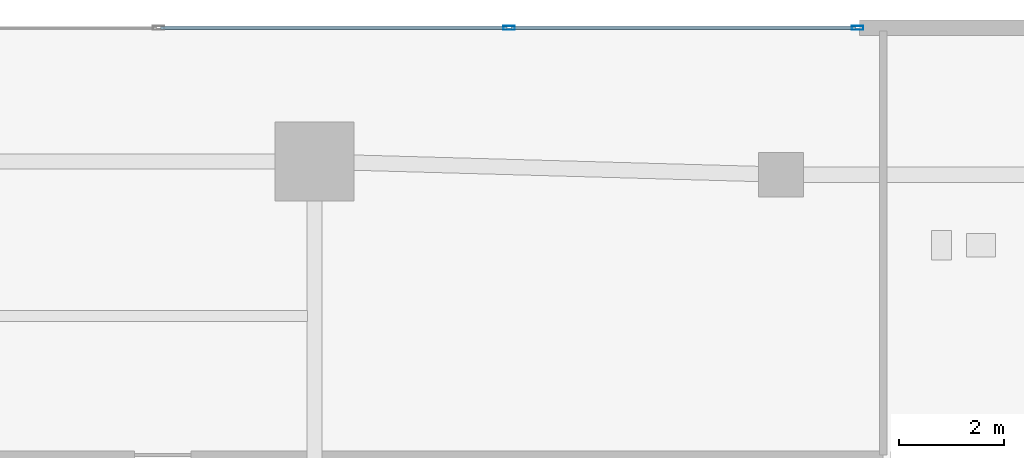
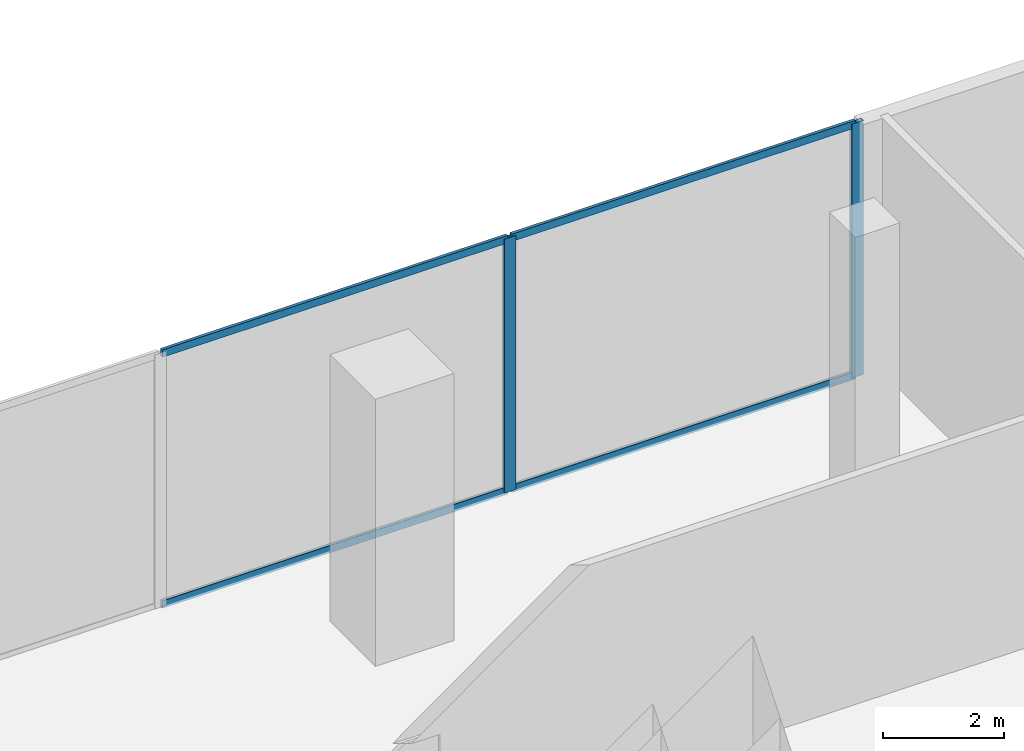
# One storey, part 18 of 30: 6 members, 1 element without a shape of its own.
"""IFC4 building model written with IfcOpenShell, lengths in metres."""

from ifc_helpers import new_model, si_unit, direction, frame, origin, origin_2d, place, context, subcontext, project, spatial, hollow_rectangle, extrude, material, layer, layer_set, material_profile, profile_set, type_object, element, aggregate, save


model = new_model("IFC4")

# Units and contexts
model_context = context("Model", 3, precision=1e-05, world=origin(), true_north=direction((0.0, 1.0)))
body_context = subcontext(model_context, "Body", "Model", "MODEL_VIEW")
ifc_project = project(units=[si_unit("LENGTHUNIT", "METRE"), si_unit("AREAUNIT", "SQUARE_METRE"), si_unit("VOLUMEUNIT", "CUBIC_METRE"), si_unit("PLANEANGLEUNIT", "RADIAN"), si_unit("MASSUNIT", "GRAM", prefix="KILO")], contexts=[model_context])

# Site, building, storey
site_placement = place(None, origin())
site = spatial("IfcSite", under=ifc_project, at=site_placement, CompositionType="ELEMENT")
building_placement = place(site_placement, origin())
building = spatial("IfcBuilding", under=site, at=building_placement, Name="Zuhayl Quay Hotel", CompositionType="ELEMENT")
storey_placement = place(building_placement, frame((0.0, 0.0, 6.0)))
storey = spatial("IfcBuildingStorey", under=building, at=storey_placement, Name="L01", CompositionType="ELEMENT", Elevation=6.0)

# Curtain wall, members
ifc_material_1 = material(Name="Anodised Aluminium 6063-T6", Category="aluminium")
ifc_layer = layer(ifc_material_1, 0.199951171875, Name="Anodised Aluminium 6063-T6", Category="aluminium")
ifc_layer_set = layer_set([ifc_layer], Name="Anodised Aluminium 6063-T6")
curtain_wall_type = type_object("IfcCurtainWallType", Name="CW_SYS_POD", PredefinedType="USERDEFINED", material=ifc_layer_set)
curtain_wall_placement = place(storey_placement, origin())
curtain_wall = element("IfcCurtainWall", 1, at=curtain_wall_placement, inside=storey, type_object=curtain_wall_type, Name="L01 Curtain Wall ENV_L01_E05_CW4", ObjectType="UNITISED CURTAIN WALL", PredefinedType="USERDEFINED")
ifc_material_2 = material(Name="Black-anodised aluminium 6063-T6", Category="aluminium")
ifc_material_profile_1 = material_profile(ifc_material_2, hollow_rectangle(XDim=0.074951171875, YDim=0.219970703125, WallThickness=0.00390625, at=origin_2d()), Name="ALU220X75")
ifc_profile_set_1 = profile_set([ifc_material_profile_1], Name="Black-anodised aluminium 6063-T6")
member_type_1 = type_object("IfcMemberType", Name="MB_CW_MUL_220", PredefinedType="MULLION", material=ifc_profile_set_1)
member_1_placement = place(storey_placement, frame((17.512451171875, 25.0, 0.0), z_axis=(0.0, 0.0, 1.0), x_axis=(0.0, 1.0, 0.0)))
member_1 = element("IfcMember", 2, at=member_1_placement, type_object=member_type_1, Name="CW-POD mullion 4", PredefinedType="MULLION", context=body_context, shape_type="SweptSolid", body=[
    extrude(hollow_rectangle(XDim=0.074951171875, YDim=0.219970703125, WallThickness=0.00390625, at=origin_2d()), origin(), (0.0, 0.0, 1.0), 5.139892578125),
])
member_2_placement = place(storey_placement, frame((24.16259765625, 25.0, 0.0), z_axis=(0.0, 0.0, 1.0), x_axis=(0.0, 1.0, 0.0)))
member_2 = element("IfcMember", 3, at=member_2_placement, type_object=member_type_1, Name="CW-POD mullion 5", PredefinedType="MULLION", context=body_context, shape_type="SweptSolid", body=[
    extrude(hollow_rectangle(XDim=0.074951171875, YDim=0.219970703125, WallThickness=0.00390625, at=origin_2d()), origin(), (0.0, 0.0, 1.0), 5.139892578125),
])
ifc_material_profile_2 = material_profile(ifc_material_2, hollow_rectangle(XDim=0.06005859375, YDim=0.14990234375, WallThickness=0.00341796875, at=origin_2d()), Name="ALU150X60")
ifc_profile_set_2 = profile_set([ifc_material_profile_2], Name="Black-anodised aluminium 6063-T6")
member_type_2 = type_object("IfcMemberType", Name="MB_CW_TRN_150", PredefinedType="USERDEFINED", material=ifc_profile_set_2)
member_3_placement = place(storey_placement, frame((10.862548828125, 25.0, 0.030029296875), z_axis=(1.0, 0.0, 0.0), x_axis=(0.0, 1.0, 0.0)))
member_3 = element("IfcMember", 4, at=member_3_placement, type_object=member_type_2, Name="CW-POD transom 3.1", ObjectType="TRANSOM", PredefinedType="USERDEFINED", context=body_context, shape_type="SweptSolid", body=[
    extrude(hollow_rectangle(XDim=0.06005859375, YDim=0.14990234375, WallThickness=0.00341796875, at=origin_2d()), origin(), (0.0, 0.0, 1.0), 6.612548828125),
])
member_4_placement = place(storey_placement, frame((10.862548828125, 25.0, 5.110107421875), z_axis=(1.0, 0.0, 0.0), x_axis=(0.0, 1.0, 0.0)))
member_4 = element("IfcMember", 5, at=member_4_placement, type_object=member_type_2, Name="CW-POD transom 3.2", ObjectType="TRANSOM", PredefinedType="USERDEFINED", context=body_context, shape_type="SweptSolid", body=[
    extrude(hollow_rectangle(XDim=0.06005859375, YDim=0.14990234375, WallThickness=0.00341796875, at=origin_2d()), origin(), (0.0, 0.0, 1.0), 6.612548828125),
])
member_5_placement = place(storey_placement, frame((17.550048828125, 25.0, 0.030029296875), z_axis=(1.0, 0.0, 0.0), x_axis=(0.0, 1.0, 0.0)))
member_5 = element("IfcMember", 6, at=member_5_placement, type_object=member_type_2, Name="CW-POD transom 4.1", ObjectType="TRANSOM", PredefinedType="USERDEFINED", context=body_context, shape_type="SweptSolid", body=[
    extrude(hollow_rectangle(XDim=0.06005859375, YDim=0.14990234375, WallThickness=0.00341796875, at=origin_2d()), origin(), (0.0, 0.0, 1.0), 6.574951171875),
])
member_6_placement = place(storey_placement, frame((17.550048828125, 25.0, 5.110107421875), z_axis=(1.0, 0.0, 0.0), x_axis=(0.0, 1.0, 0.0)))
member_6 = element("IfcMember", 7, at=member_6_placement, type_object=member_type_2, Name="CW-POD transom 4.2", ObjectType="TRANSOM", PredefinedType="USERDEFINED", context=body_context, shape_type="SweptSolid", body=[
    extrude(hollow_rectangle(XDim=0.06005859375, YDim=0.14990234375, WallThickness=0.00341796875, at=origin_2d()), origin(), (0.0, 0.0, 1.0), 6.574951171875),
])
aggregate(curtain_wall, [member_1, member_2, member_3, member_4, member_5, member_6])

save(model, "model.ifc")
